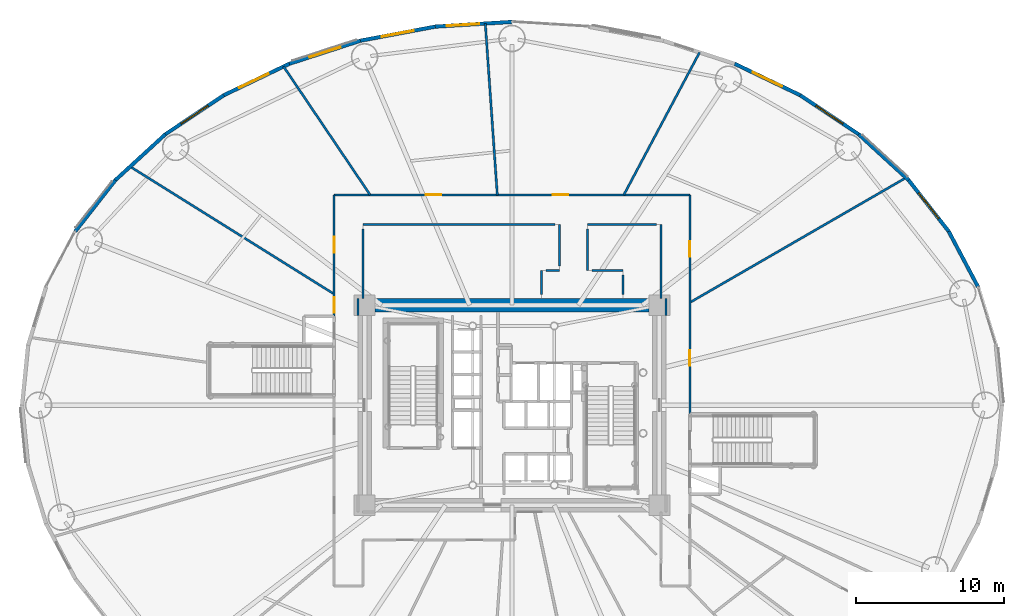
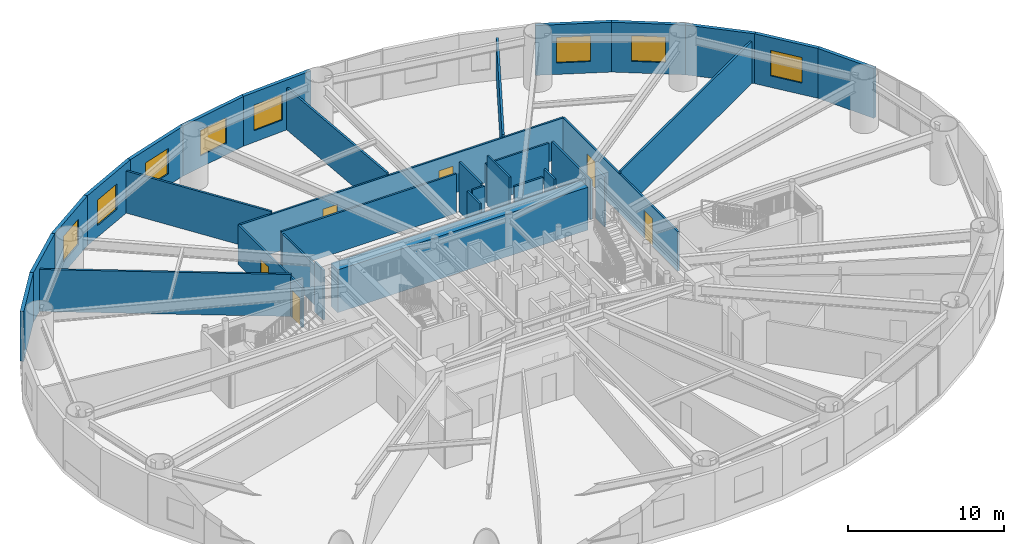
# One storey, part 16 of 27: 33 walls, 8 windows, 6 doors, 14 openings.
"""IFC4 building model written with IfcOpenShell, lengths in metres."""

from ifc_helpers import new_model, si_unit, direction, frame, frame_2d, origin, origin_2d, place, context, subcontext, project, spatial, rectangle, extrude, source, transform, mapped, material, layer, layer_set, type_object, element, fill, save


model = new_model("IFC4")

# Units and contexts
model_context = context("Model", 3, precision=1e-05, world=origin(), true_north=direction((0.0, 1.0)))
body_context = subcontext(model_context, "Body", "Model", "MODEL_VIEW")
ifc_project = project(units=[si_unit("LENGTHUNIT", "METRE"), si_unit("AREAUNIT", "SQUARE_METRE"), si_unit("VOLUMEUNIT", "CUBIC_METRE"), si_unit("PLANEANGLEUNIT", "RADIAN"), si_unit("MASSUNIT", "GRAM", prefix="KILO")], contexts=[model_context])

# Site, building, storey
site_placement = place(None, origin())
site = spatial("IfcSite", under=ifc_project, at=site_placement, CompositionType="ELEMENT")
building_placement = place(site_placement, origin())
building = spatial("IfcBuilding", under=site, at=building_placement, Name="Linh Dai School and Residence Tower", CompositionType="ELEMENT")
storey_placement = place(building_placement, frame((0.0, 0.0, 18.60009765625)))
storey = spatial("IfcBuildingStorey", under=building, at=storey_placement, Name="L04", CompositionType="ELEMENT", Elevation=18.60009765625)

# Wall
ifc_material_1 = material(Name="Precast Concrete B45 (C35/45)", Category="concrete")
ifc_layer_1 = layer(ifc_material_1, 0.25)
ifc_layer_set_1 = layer_set([ifc_layer_1], Name="Precast Concrete B45 (C35/45)")
wall_type_1 = type_object("IfcWallType", Name="EW-TC-250", PredefinedType="SOLIDWALL", material=ifc_layer_set_1)
wall_1_placement = place(storey_placement, frame((65.4765625, 38.735595703125, 0.0), z_axis=(0.0, 0.0, 1.0), x_axis=(0.467588829866, -0.883946087827, 0.0)))
element("IfcWall", 1, at=wall_1_placement, inside=storey, type_object=wall_type_1, Name="L04 Terracotta Exterior Wall 03", PredefinedType="SOLIDWALL", context=body_context, shape_type="SweptSolid", body=[
    extrude(rectangle(XDim=4.2412109375, YDim=0.25, at=frame_2d((2.12060546875, 0.0))), origin(), (0.0, 0.0, 1.0), 3.89990234375),
])

# Wall, opening, window
wall_2_placement = place(storey_placement, frame((62.767822265625, 42.197509765625, 0.0), z_axis=(0.0, 0.0, 1.0), x_axis=(0.61622589112, -0.787569457961, 0.0)))
wall_2 = element("IfcWall", 2, at=wall_2_placement, inside=storey, type_object=wall_type_1, Name="L04 Terracotta Exterior Wall 04", PredefinedType="SOLIDWALL", context=body_context, shape_type="SweptSolid", body=[
    extrude(rectangle(XDim=4.395751953125, YDim=0.25, at=frame_2d((2.19775390625, 0.0))), origin(), (0.0, 0.0, 1.0), 3.89990234375),
])
opening_1_placement = place(wall_2_placement, frame((1.09765625, 0.0, 0.89990234375)))
opening_1 = element("IfcOpeningElement", 3, at=opening_1_placement, cuts=wall_2, Name="Opening W4", PredefinedType="OPENING", context=body_context, shape_type="SweptSolid", body=[
    extrude(rectangle(XDim=2.199951171875, YDim=2.0, at=origin_2d()), frame((1.10009765625, 0.135009765625, 1.0), z_axis=(0.0, -1.0, 0.0), x_axis=(1.0, 0.0, 0.0)), (0.0, 0.0, 1.0), 0.27001953125),
])
ifc_material_2 = material(Name="Acoustic Laminated Low-E Glazing", Category="glass")
window_type = type_object("IfcWindowType", Name="WN-SCH-2200x2000", PartitioningType="TRIPLE_PANEL_VERTICAL", PredefinedType="WINDOW", material=ifc_material_2)
shared_shape_1 = source(origin(), body_context, "Body", "SweptSolid", [
    extrude(rectangle(XDim=2.199951171875, YDim=2.0, at=origin_2d()), frame((1.10009765625, 0.030029296875, 1.0), z_axis=(0.0, -1.0, 0.0), x_axis=(1.0, 0.0, 0.0)), (0.0, 0.0, 1.0), 0.06005859375),
])
window_1_placement = place(opening_1_placement, origin())
window_1 = element("IfcWindow", 4, at=window_1_placement, inside=storey, type_object=window_type, Name="L04 Exterior Window 04.1", OverallHeight=2.0, OverallWidth=2.199951171875, PartitioningType="TRIPLE_PANEL_VERTICAL", PredefinedType="WINDOW", context=body_context, shape_type="MappedRepresentation", body=[
    mapped(shared_shape_1, transform((0.0, 0.0, 0.0), x_axis=(1.0, 0.0, 0.0), y_axis=(0.0, 1.0, 0.0), z_axis=(0.0, 0.0, 1.0), scale=1.0)),
])
fill(opening_1, window_1)

# Wall
wall_3_placement = place(storey_placement, frame((59.39892578125, 45.286376953125, 0.0), z_axis=(0.0, 0.0, 1.0), x_axis=(0.737076532105, -0.675809282136, 0.0)))
element("IfcWall", 5, at=wall_3_placement, inside=storey, type_object=wall_type_1, Name="L04 Terracotta Exterior Wall 05", PredefinedType="SOLIDWALL", context=body_context, shape_type="SweptSolid", body=[
    extrude(rectangle(XDim=4.570556640625, YDim=0.25, at=frame_2d((2.28515625, 0.0))), origin(), (0.0, 0.0, 1.0), 3.89990234375),
])

# Wall, opening, window
wall_4_placement = place(storey_placement, frame((55.45263671875, 47.92578125, 0.0), z_axis=(0.0, 0.0, 1.0), x_axis=(0.831218664812, -0.555945618985, 0.0)))
wall_4 = element("IfcWall", 6, at=wall_4_placement, inside=storey, type_object=wall_type_1, Name="L04 Terracotta Exterior Wall 06", PredefinedType="SOLIDWALL", context=body_context, shape_type="SweptSolid", body=[
    extrude(rectangle(XDim=4.74755859375, YDim=0.25, at=frame_2d((2.373779296875, 0.0))), origin(), (0.0, 0.0, 1.0), 3.89990234375),
])
opening_2_placement = place(wall_4_placement, frame((1.273681640625, 0.0, 0.89990234375)))
opening_2 = element("IfcOpeningElement", 7, at=opening_2_placement, cuts=wall_4, Name="Opening W4", PredefinedType="OPENING", context=body_context, shape_type="SweptSolid", body=[
    extrude(rectangle(XDim=2.199951171875, YDim=2.0, at=origin_2d()), frame((1.10009765625, 0.135009765625, 1.0), z_axis=(0.0, -1.0, 0.0), x_axis=(1.0, 0.0, 0.0)), (0.0, 0.0, 1.0), 0.27001953125),
])
window_2_placement = place(opening_2_placement, origin())
window_2 = element("IfcWindow", 8, at=window_2_placement, inside=storey, type_object=window_type, Name="L04 Exterior Window 06.1", OverallHeight=2.0, OverallWidth=2.199951171875, PartitioningType="TRIPLE_PANEL_VERTICAL", PredefinedType="WINDOW", context=body_context, shape_type="MappedRepresentation", body=[
    mapped(shared_shape_1, transform((0.0, 0.0, 0.0), x_axis=(1.0, 0.0, 0.0), y_axis=(0.0, 1.0, 0.0), z_axis=(0.0, 0.0, 1.0), scale=1.0)),
])
fill(opening_2, window_2)

wall_5_placement = place(storey_placement, frame((51.026123046875, 50.050048828125, 0.0), z_axis=(0.0, 0.0, 1.0), x_axis=(0.901559523397, -0.432655088692, 0.0)))
wall_5 = element("IfcWall", 9, at=wall_5_placement, inside=storey, type_object=wall_type_1, Name="L04 Terracotta Exterior Wall 07", PredefinedType="SOLIDWALL", context=body_context, shape_type="SweptSolid", body=[
    extrude(rectangle(XDim=4.909912109375, YDim=0.25, at=frame_2d((2.455078125, 0.0))), origin(), (0.0, 0.0, 1.0), 3.89990234375),
])
opening_3_placement = place(wall_5_placement, frame((1.354736328125, 0.0, 0.89990234375)))
opening_3 = element("IfcOpeningElement", 10, at=opening_3_placement, cuts=wall_5, Name="Opening W4", PredefinedType="OPENING", context=body_context, shape_type="SweptSolid", body=[
    extrude(rectangle(XDim=2.199951171875, YDim=2.0, at=origin_2d()), frame((1.10009765625, 0.135009765625, 1.0), z_axis=(0.0, -1.0, 0.0), x_axis=(1.0, 0.0, 0.0)), (0.0, 0.0, 1.0), 0.27001953125),
])
window_3_placement = place(opening_3_placement, origin())
window_3 = element("IfcWindow", 11, at=window_3_placement, inside=storey, type_object=window_type, Name="L04 Exterior Window 07.1", OverallHeight=2.0, OverallWidth=2.199951171875, PartitioningType="TRIPLE_PANEL_VERTICAL", PredefinedType="WINDOW", context=body_context, shape_type="MappedRepresentation", body=[
    mapped(shared_shape_1, transform((0.0, 0.0, 0.0), x_axis=(1.0, 0.0, 0.0), y_axis=(0.0, 1.0, 0.0), z_axis=(0.0, 0.0, 1.0), scale=1.0)),
])
fill(opening_3, window_3)

wall_6_placement = place(storey_placement, frame((30.82177734375, 52.555908203125, 0.0), z_axis=(0.0, 0.0, 1.0), x_axis=(0.998106762298, 0.061505211614, 0.0)))
wall_6 = element("IfcWall", 12, at=wall_6_placement, inside=storey, type_object=wall_type_1, Name="L04 Terracotta Exterior Wall 11", PredefinedType="SOLIDWALL", context=body_context, shape_type="SweptSolid", body=[
    extrude(rectangle(XDim=5.18798828125, YDim=0.25, at=frame_2d((2.593994140625, 0.0))), origin(), (0.0, 0.0, 1.0), 3.89990234375),
])
opening_4_placement = place(wall_6_placement, frame((0.785888671875, 0.0, 0.89990234375)))
opening_4 = element("IfcOpeningElement", 13, at=opening_4_placement, cuts=wall_6, Name="Opening W4", PredefinedType="OPENING", context=body_context, shape_type="SweptSolid", body=[
    extrude(rectangle(XDim=2.199951171875, YDim=2.0, at=origin_2d()), frame((1.10009765625, 0.135009765625, 1.0), z_axis=(0.0, -1.0, 0.0), x_axis=(1.0, 0.0, 0.0)), (0.0, 0.0, 1.0), 0.27001953125),
])
window_4_placement = place(opening_4_placement, origin())
window_4 = element("IfcWindow", 14, at=window_4_placement, inside=storey, type_object=window_type, Name="L04 Exterior Window 11.1", OverallHeight=2.0, OverallWidth=2.199951171875, PartitioningType="TRIPLE_PANEL_VERTICAL", PredefinedType="WINDOW", context=body_context, shape_type="MappedRepresentation", body=[
    mapped(shared_shape_1, transform((0.0, 0.0, 0.0), x_axis=(1.0, 0.0, 0.0), y_axis=(0.0, 1.0, 0.0), z_axis=(0.0, 0.0, 1.0), scale=1.0)),
])
fill(opening_4, window_4)

wall_7_placement = place(storey_placement, frame((25.771484375, 51.6064453125, 0.0), z_axis=(0.0, 0.0, 1.0), x_axis=(0.98278278947, 0.184764684726, 0.0)))
wall_7 = element("IfcWall", 15, at=wall_7_placement, inside=storey, type_object=wall_type_1, Name="L04 Terracotta Exterior Wall 12", PredefinedType="SOLIDWALL", context=body_context, shape_type="SweptSolid", body=[
    extrude(rectangle(XDim=5.138671875, YDim=0.25, at=frame_2d((2.5693359375, 0.0))), origin(), (0.0, 0.0, 1.0), 3.89990234375),
])
opening_5_placement = place(wall_7_placement, frame((1.469482421875, 0.0, 0.89990234375)))
opening_5 = element("IfcOpeningElement", 16, at=opening_5_placement, cuts=wall_7, Name="Opening W4", PredefinedType="OPENING", context=body_context, shape_type="SweptSolid", body=[
    extrude(rectangle(XDim=2.199951171875, YDim=2.0, at=origin_2d()), frame((1.10009765625, 0.135009765625, 1.0), z_axis=(0.0, -1.0, 0.0), x_axis=(1.0, 0.0, 0.0)), (0.0, 0.0, 1.0), 0.27001953125),
])
window_5_placement = place(opening_5_placement, origin())
window_5 = element("IfcWindow", 17, at=window_5_placement, inside=storey, type_object=window_type, Name="L04 Exterior Window 12.1", OverallHeight=2.0, OverallWidth=2.199951171875, PartitioningType="TRIPLE_PANEL_VERTICAL", PredefinedType="WINDOW", context=body_context, shape_type="MappedRepresentation", body=[
    mapped(shared_shape_1, transform((0.0, 0.0, 0.0), x_axis=(1.0, 0.0, 0.0), y_axis=(0.0, 1.0, 0.0), z_axis=(0.0, 0.0, 1.0), scale=1.0)),
])
fill(opening_5, window_5)

wall_8_placement = place(storey_placement, frame((20.973876953125, 50.050048828125, 0.0), z_axis=(0.0, 0.0, 1.0), x_axis=(0.951198629726, 0.308579271513, 0.0)))
wall_8 = element("IfcWall", 18, at=wall_8_placement, inside=storey, type_object=wall_type_1, Name="L04 Terracotta Exterior Wall 13", PredefinedType="SOLIDWALL", context=body_context, shape_type="SweptSolid", body=[
    extrude(rectangle(XDim=5.043701171875, YDim=0.25, at=frame_2d((2.52197265625, 0.0))), origin(), (0.0, 0.0, 1.0), 3.89990234375),
])
opening_6_placement = place(wall_8_placement, frame((1.422119140625, 0.0, 0.89990234375)))
opening_6 = element("IfcOpeningElement", 19, at=opening_6_placement, cuts=wall_8, Name="Opening W4", PredefinedType="OPENING", context=body_context, shape_type="SweptSolid", body=[
    extrude(rectangle(XDim=2.199951171875, YDim=2.0, at=origin_2d()), frame((1.10009765625, 0.135009765625, 1.0), z_axis=(0.0, -1.0, 0.0), x_axis=(1.0, 0.0, 0.0)), (0.0, 0.0, 1.0), 0.27001953125),
])
window_6_placement = place(opening_6_placement, origin())
window_6 = element("IfcWindow", 20, at=window_6_placement, inside=storey, type_object=window_type, Name="L04 Exterior Window 13.1", OverallHeight=2.0, OverallWidth=2.199951171875, PartitioningType="TRIPLE_PANEL_VERTICAL", PredefinedType="WINDOW", context=body_context, shape_type="MappedRepresentation", body=[
    mapped(shared_shape_1, transform((0.0, 0.0, 0.0), x_axis=(1.0, 0.0, 0.0), y_axis=(0.0, 1.0, 0.0), z_axis=(0.0, 0.0, 1.0), scale=1.0)),
])
fill(opening_6, window_6)

wall_9_placement = place(storey_placement, frame((16.54736328125, 47.92578125, 0.0), z_axis=(0.0, 0.0, 1.0), x_axis=(0.901559523397, 0.432655088692, 0.0)))
wall_9 = element("IfcWall", 21, at=wall_9_placement, inside=storey, type_object=wall_type_1, Name="L04 Terracotta Exterior Wall 14", PredefinedType="SOLIDWALL", context=body_context, shape_type="SweptSolid", body=[
    extrude(rectangle(XDim=4.909912109375, YDim=0.25, at=frame_2d((2.455078125, 0.0))), origin(), (0.0, 0.0, 1.0), 3.89990234375),
])
opening_7_placement = place(wall_9_placement, frame((1.150146484375, 0.0, 0.89990234375)))
opening_7 = element("IfcOpeningElement", 22, at=opening_7_placement, cuts=wall_9, Name="Opening W4", PredefinedType="OPENING", context=body_context, shape_type="SweptSolid", body=[
    extrude(rectangle(XDim=2.199951171875, YDim=2.0, at=origin_2d()), frame((1.10009765625, 0.135009765625, 1.0), z_axis=(0.0, -1.0, 0.0), x_axis=(1.0, 0.0, 0.0)), (0.0, 0.0, 1.0), 0.27001953125),
])
window_7_placement = place(opening_7_placement, origin())
window_7 = element("IfcWindow", 23, at=window_7_placement, inside=storey, type_object=window_type, Name="L04 Exterior Window 14.1", OverallHeight=2.0, OverallWidth=2.199951171875, PartitioningType="TRIPLE_PANEL_VERTICAL", PredefinedType="WINDOW", context=body_context, shape_type="MappedRepresentation", body=[
    mapped(shared_shape_1, transform((0.0, 0.0, 0.0), x_axis=(1.0, 0.0, 0.0), y_axis=(0.0, 1.0, 0.0), z_axis=(0.0, 0.0, 1.0), scale=1.0)),
])
fill(opening_7, window_7)

wall_10_placement = place(storey_placement, frame((12.60107421875, 45.286376953125, 0.0), z_axis=(0.0, 0.0, 1.0), x_axis=(0.831218664812, 0.555945618985, 0.0)))
wall_10 = element("IfcWall", 24, at=wall_10_placement, inside=storey, type_object=wall_type_1, Name="L04 Terracotta Exterior Wall 15", PredefinedType="SOLIDWALL", context=body_context, shape_type="SweptSolid", body=[
    extrude(rectangle(XDim=4.74755859375, YDim=0.25, at=frame_2d((2.373779296875, 0.0))), origin(), (0.0, 0.0, 1.0), 3.89990234375),
])
opening_8_placement = place(wall_10_placement, frame((1.27392578125, 0.0, 0.89990234375)))
opening_8 = element("IfcOpeningElement", 25, at=opening_8_placement, cuts=wall_10, Name="Opening W4", PredefinedType="OPENING", context=body_context, shape_type="SweptSolid", body=[
    extrude(rectangle(XDim=2.199951171875, YDim=2.0, at=origin_2d()), frame((1.10009765625, 0.135009765625, 1.0), z_axis=(0.0, -1.0, 0.0), x_axis=(1.0, 0.0, 0.0)), (0.0, 0.0, 1.0), 0.27001953125),
])
window_8_placement = place(opening_8_placement, origin())
window_8 = element("IfcWindow", 26, at=window_8_placement, inside=storey, type_object=window_type, Name="L04 Exterior Window 15.1", OverallHeight=2.0, OverallWidth=2.199951171875, PartitioningType="TRIPLE_PANEL_VERTICAL", PredefinedType="WINDOW", context=body_context, shape_type="MappedRepresentation", body=[
    mapped(shared_shape_1, transform((0.0, 0.0, 0.0), x_axis=(1.0, 0.0, 0.0), y_axis=(0.0, 1.0, 0.0), z_axis=(0.0, 0.0, 1.0), scale=1.0)),
])
fill(opening_8, window_8)

# Walls
wall_11_placement = place(storey_placement, frame((9.232177734375, 42.197509765625, 0.0), z_axis=(0.0, 0.0, 1.0), x_axis=(0.737076532105, 0.675809282136, 0.0)))
element("IfcWall", 27, at=wall_11_placement, inside=storey, type_object=wall_type_1, Name="L04 Terracotta Exterior Wall 16", PredefinedType="SOLIDWALL", context=body_context, shape_type="SweptSolid", body=[
    extrude(rectangle(XDim=4.570556640625, YDim=0.25, at=frame_2d((2.28515625, 0.0))), origin(), (0.0, 0.0, 1.0), 3.89990234375),
])
wall_12_placement = place(storey_placement, frame((6.5234375, 38.735595703125, 0.0), z_axis=(0.0, 0.0, 1.0), x_axis=(0.61622589112, 0.787569457961, 0.0)))
element("IfcWall", 28, at=wall_12_placement, inside=storey, type_object=wall_type_1, Name="L04 Terracotta Exterior Wall 17", PredefinedType="SOLIDWALL", context=body_context, shape_type="SweptSolid", body=[
    extrude(rectangle(XDim=4.395751953125, YDim=0.25, at=frame_2d((2.19775390625, 0.0))), origin(), (0.0, 0.0, 1.0), 3.89990234375),
])

# Wall, openings, doors
ifc_material_3 = material(Name="Autoclaved Aerated Concrete Blockwork", Category="masonry")
ifc_layer_2 = layer(ifc_material_3, 0.135009765625)
ifc_layer_set_2 = layer_set([ifc_layer_2], Name="Autoclaved Aerated Concrete Blockwork")
wall_type_2 = type_object("IfcWallType", Name="IW-CORR-135-EI90", PredefinedType="PARTITIONING", material=ifc_layer_set_2)
wall_13_placement = place(storey_placement, frame((24.0, 33.010009765625, 0.0), z_axis=(0.0, 0.0, 1.0), x_axis=(0.0, 1.0, 0.0)))
wall_13 = element("IfcWall", 29, at=wall_13_placement, inside=storey, type_object=wall_type_2, Name="L04 Interior Partition Wall 014", PredefinedType="PARTITIONING", context=body_context, shape_type="SweptSolid", body=[
    extrude(rectangle(XDim=8.18994140625, YDim=0.135009765625, at=frame_2d((4.094970703125, 0.0))), origin(), (0.0, 0.0, 1.0), 3.0849609375),
])
opening_9_placement = place(wall_13_placement, frame((4.294189453125, 0.0, 0.0)))
opening_9 = element("IfcOpeningElement", 30, at=opening_9_placement, cuts=wall_13, Name="Opening D04", PredefinedType="OPENING", context=body_context, shape_type="SweptSolid", body=[
    extrude(rectangle(XDim=1.050048828125, YDim=2.14990234375, at=origin_2d()), frame((0.52490234375, 0.07763671875, 1.074951171875), z_axis=(0.0, -1.0, 0.0), x_axis=(1.0, 0.0, 0.0)), (0.0, 0.0, 1.0), 0.155029296875),
])
opening_10_placement = place(wall_13_placement, frame((0.2392578125, 0.0, 0.0)))
opening_10 = element("IfcOpeningElement", 31, at=opening_10_placement, cuts=wall_13, Name="Opening D04", PredefinedType="OPENING", context=body_context, shape_type="SweptSolid", body=[
    extrude(rectangle(XDim=1.050048828125, YDim=2.14990234375, at=origin_2d()), frame((0.52490234375, 0.07763671875, 1.074951171875), z_axis=(0.0, -1.0, 0.0), x_axis=(1.0, 0.0, 0.0)), (0.0, 0.0, 1.0), 0.155029296875),
])
ifc_material_4 = material(Name="Acoustic Vision-Panel Timber Classroom Door", Category="wood")
door_type = type_object("IfcDoorType", Name="DR-SCH-1050x2150-FD60S", OperationType="NOTDEFINED", PredefinedType="DOOR", material=ifc_material_4)
shared_shape_2 = source(origin(), body_context, "Body", "SweptSolid", [
    extrude(rectangle(XDim=1.050048828125, YDim=2.14990234375, at=origin_2d()), frame((0.52490234375, 0.02490234375, 1.074951171875), z_axis=(0.0, -1.0, 0.0), x_axis=(1.0, 0.0, 0.0)), (0.0, 0.0, 1.0), 0.050048828125),
])
door_1_placement = place(opening_9_placement, origin())
door_1 = element("IfcDoor", 32, at=door_1_placement, inside=storey, type_object=door_type, Name="L04 Middle School Classroom 1 Door", OperationType="SINGLE_SWING_LEFT", OverallHeight=2.14990234375, OverallWidth=1.050048828125, PredefinedType="DOOR", context=body_context, shape_type="MappedRepresentation", body=[
    mapped(shared_shape_2, transform((0.0, 0.0, 0.0), x_axis=(1.0, 0.0, 0.0), y_axis=(0.0, 1.0, 0.0), z_axis=(0.0, 0.0, 1.0), scale=1.0)),
])
fill(opening_9, door_1)
door_2_placement = place(opening_10_placement, origin())
door_2 = element("IfcDoor", 33, at=door_2_placement, inside=storey, type_object=door_type, Name="L04 Middle School Classroom 2 Door", OperationType="SINGLE_SWING_RIGHT", OverallHeight=2.14990234375, OverallWidth=1.050048828125, PredefinedType="DOOR", context=body_context, shape_type="MappedRepresentation", body=[
    mapped(shared_shape_2, transform((0.0, 0.0, 0.0), x_axis=(1.0, 0.0, 0.0), y_axis=(0.0, 1.0, 0.0), z_axis=(0.0, 0.0, 1.0), scale=1.0)),
])
fill(opening_10, door_2)

wall_14_placement = place(storey_placement, frame((24.0, 41.199951171875, 0.0), z_axis=(0.0, 0.0, 1.0), x_axis=(1.0, 0.0, 0.0)))
wall_14 = element("IfcWall", 34, at=wall_14_placement, inside=storey, type_object=wall_type_2, Name="L04 Interior Partition Wall 015", PredefinedType="PARTITIONING", context=body_context, shape_type="SweptSolid", body=[
    extrude(rectangle(XDim=24.0, YDim=0.135009765625, at=frame_2d((12.0, 0.0))), origin(), (0.0, 0.0, 1.0), 3.0849609375),
])
opening_11_placement = place(wall_14_placement, frame((14.753662109375, 0.0, 0.0)))
opening_11 = element("IfcOpeningElement", 35, at=opening_11_placement, cuts=wall_14, Name="Opening D04", PredefinedType="OPENING", context=body_context, shape_type="SweptSolid", body=[
    extrude(rectangle(XDim=1.050048828125, YDim=2.14990234375, at=origin_2d()), frame((0.52490234375, 0.07763671875, 1.074951171875), z_axis=(0.0, -1.0, 0.0), x_axis=(1.0, 0.0, 0.0)), (0.0, 0.0, 1.0), 0.155029296875),
])
opening_12_placement = place(wall_14_placement, frame((6.189453125, 0.0, 0.0)))
opening_12 = element("IfcOpeningElement", 36, at=opening_12_placement, cuts=wall_14, Name="Opening D04", PredefinedType="OPENING", context=body_context, shape_type="SweptSolid", body=[
    extrude(rectangle(XDim=1.050048828125, YDim=2.14990234375, at=origin_2d()), frame((0.52490234375, 0.07763671875, 1.074951171875), z_axis=(0.0, -1.0, 0.0), x_axis=(1.0, 0.0, 0.0)), (0.0, 0.0, 1.0), 0.155029296875),
])
door_3_placement = place(opening_11_placement, origin())
door_3 = element("IfcDoor", 37, at=door_3_placement, inside=storey, type_object=door_type, Name="L04 Biology and Ecology Laboratory Door", OperationType="SINGLE_SWING_LEFT", OverallHeight=2.14990234375, OverallWidth=1.050048828125, PredefinedType="DOOR", context=body_context, shape_type="MappedRepresentation", body=[
    mapped(shared_shape_2, transform((0.0, 0.0, 0.0), x_axis=(1.0, 0.0, 0.0), y_axis=(0.0, 1.0, 0.0), z_axis=(0.0, 0.0, 1.0), scale=1.0)),
])
fill(opening_11, door_3)
door_4_placement = place(opening_12_placement, origin())
door_4 = element("IfcDoor", 38, at=door_4_placement, inside=storey, type_object=door_type, Name="L04 Robotics and STEM Maker Lab Door", OperationType="SINGLE_SWING_RIGHT", OverallHeight=2.14990234375, OverallWidth=1.050048828125, PredefinedType="DOOR", context=body_context, shape_type="MappedRepresentation", body=[
    mapped(shared_shape_2, transform((0.0, 0.0, 0.0), x_axis=(1.0, 0.0, 0.0), y_axis=(0.0, 1.0, 0.0), z_axis=(0.0, 0.0, 1.0), scale=1.0)),
])
fill(opening_12, door_4)

wall_15_placement = place(storey_placement, frame((48.0, 26.429931640625, 0.0), z_axis=(0.0, 0.0, 1.0), x_axis=(0.0, 1.0, 0.0)))
wall_15 = element("IfcWall", 39, at=wall_15_placement, inside=storey, type_object=wall_type_2, Name="L04 Interior Partition Wall 068", PredefinedType="PARTITIONING", context=body_context, shape_type="SweptSolid", body=[
    extrude(rectangle(XDim=14.77001953125, YDim=0.135009765625, at=frame_2d((7.385009765625, 0.0))), origin(), (0.0, 0.0, 1.0), 3.0849609375),
])
opening_13_placement = place(wall_15_placement, frame((3.244140625, 0.0, 0.0)))
opening_13 = element("IfcOpeningElement", 40, at=opening_13_placement, cuts=wall_15, Name="Opening D04", PredefinedType="OPENING", context=body_context, shape_type="SweptSolid", body=[
    extrude(rectangle(XDim=1.050048828125, YDim=2.14990234375, at=origin_2d()), frame((0.52490234375, 0.07763671875, 1.074951171875), z_axis=(0.0, -1.0, 0.0), x_axis=(1.0, 0.0, 0.0)), (0.0, 0.0, 1.0), 0.155029296875),
])
opening_14_placement = place(wall_15_placement, frame((10.589111328125, 0.0, 0.0)))
opening_14 = element("IfcOpeningElement", 41, at=opening_14_placement, cuts=wall_15, Name="Opening D04", PredefinedType="OPENING", context=body_context, shape_type="SweptSolid", body=[
    extrude(rectangle(XDim=1.050048828125, YDim=2.14990234375, at=origin_2d()), frame((0.52490234375, 0.07763671875, 1.074951171875), z_axis=(0.0, -1.0, 0.0), x_axis=(1.0, 0.0, 0.0)), (0.0, 0.0, 1.0), 0.155029296875),
])
door_5_placement = place(opening_13_placement, origin())
door_5 = element("IfcDoor", 42, at=door_5_placement, inside=storey, type_object=door_type, Name="L04 School Learning Commons and Library Door", OperationType="SINGLE_SWING_LEFT", OverallHeight=2.14990234375, OverallWidth=1.050048828125, PredefinedType="DOOR", context=body_context, shape_type="MappedRepresentation", body=[
    mapped(shared_shape_2, transform((0.0, 0.0, 0.0), x_axis=(1.0, 0.0, 0.0), y_axis=(0.0, 1.0, 0.0), z_axis=(0.0, 0.0, 1.0), scale=1.0)),
])
fill(opening_13, door_5)
door_6_placement = place(opening_14_placement, origin())
door_6 = element("IfcDoor", 43, at=door_6_placement, inside=storey, type_object=door_type, Name="L04 General Science Laboratory 1 Door", OperationType="SINGLE_SWING_RIGHT", OverallHeight=2.14990234375, OverallWidth=1.050048828125, PredefinedType="DOOR", context=body_context, shape_type="MappedRepresentation", body=[
    mapped(shared_shape_2, transform((0.0, 0.0, 0.0), x_axis=(1.0, 0.0, 0.0), y_axis=(0.0, 1.0, 0.0), z_axis=(0.0, 0.0, 1.0), scale=1.0)),
])
fill(opening_14, door_6)

# Walls
wall_16_placement = place(storey_placement, frame((46.39990234375, 33.06005859375, 0.0), z_axis=(0.0, 0.0, 1.0), x_axis=(0.0, 1.0, 0.0)))
element("IfcWall", 44, at=wall_16_placement, inside=storey, type_object=wall_type_2, Name="L04 Interior Partition Wall 088", PredefinedType="PARTITIONING", context=body_context, shape_type="SweptSolid", body=[
    extrude(rectangle(XDim=1.139892578125, YDim=0.135009765625, at=frame_2d((0.56982421875, 0.0))), origin(), (0.0, 0.0, 1.0), 3.89990234375),
])
wall_17_placement = place(storey_placement, frame((46.050048828125, 34.199951171875, 0.0), z_axis=(0.0, 0.0, 1.0), x_axis=(0.0, 1.0, 0.0)))
element("IfcWall", 45, at=wall_17_placement, inside=storey, type_object=wall_type_2, Name="L04 Interior Partition Wall 089", PredefinedType="PARTITIONING", context=body_context, shape_type="SweptSolid", body=[
    extrude(rectangle(XDim=5.0, YDim=0.135009765625, at=frame_2d((2.5, 0.0))), origin(), (0.0, 0.0, 1.0), 3.0849609375),
])
wall_18_placement = place(storey_placement, frame((45.742431640625, 39.199951171875, 0.0), z_axis=(0.0, 0.0, 1.0), x_axis=(-1.0, 0.0, 0.0)))
element("IfcWall", 46, at=wall_18_placement, inside=storey, type_object=wall_type_2, Name="L04 Interior Partition Wall 090", PredefinedType="PARTITIONING", context=body_context, shape_type="SweptSolid", body=[
    extrude(rectangle(XDim=4.642333984375, YDim=0.135009765625, at=frame_2d((2.3212890625, 0.0))), origin(), (0.0, 0.0, 1.0), 3.0849609375),
])
wall_19_placement = place(storey_placement, frame((41.10009765625, 38.892578125, 0.0), z_axis=(0.0, 0.0, 1.0), x_axis=(0.0, -1.0, 0.0)))
element("IfcWall", 47, at=wall_19_placement, inside=storey, type_object=wall_type_2, Name="L04 Interior Partition Wall 091", PredefinedType="PARTITIONING", context=body_context, shape_type="SweptSolid", body=[
    extrude(rectangle(XDim=2.79248046875, YDim=0.135009765625, at=frame_2d((1.396240234375, 0.0))), origin(), (0.0, 0.0, 1.0), 3.89990234375),
])
wall_20_placement = place(storey_placement, frame((41.407470703125, 36.10009765625, 0.0), z_axis=(0.0, 0.0, 1.0), x_axis=(1.0, 0.0, 0.0)))
element("IfcWall", 48, at=wall_20_placement, inside=storey, type_object=wall_type_2, Name="L04 Interior Partition Wall 092", PredefinedType="PARTITIONING", context=body_context, shape_type="SweptSolid", body=[
    extrude(rectangle(XDim=2.092529296875, YDim=0.135009765625, at=frame_2d((1.04638671875, 0.0))), origin(), (0.0, 0.0, 1.0), 3.0849609375),
])
wall_21_placement = place(storey_placement, frame((43.5, 35.79248046875, 0.0), z_axis=(0.0, 0.0, 1.0), x_axis=(0.0, -1.0, 0.0)))
element("IfcWall", 49, at=wall_21_placement, inside=storey, type_object=wall_type_2, Name="L04 Interior Partition Wall 093", PredefinedType="PARTITIONING", context=body_context, shape_type="SweptSolid", body=[
    extrude(rectangle(XDim=1.33251953125, YDim=0.135009765625, at=frame_2d((0.666259765625, 0.0))), origin(), (0.0, 0.0, 1.0), 3.89990234375),
])
wall_22_placement = place(storey_placement, frame((38.0, 34.4599609375, 0.0), z_axis=(0.0, 0.0, 1.0), x_axis=(0.0, 1.0, 0.0)))
element("IfcWall", 50, at=wall_22_placement, inside=storey, type_object=wall_type_2, Name="L04 Interior Partition Wall 094", PredefinedType="PARTITIONING", context=body_context, shape_type="SweptSolid", body=[
    extrude(rectangle(XDim=1.64013671875, YDim=0.135009765625, at=frame_2d((0.820068359375, 0.0))), origin(), (0.0, 0.0, 1.0), 3.89990234375),
])
wall_23_placement = place(storey_placement, frame((38.3076171875, 36.10009765625, 0.0), z_axis=(0.0, 0.0, 1.0), x_axis=(1.0, 0.0, 0.0)))
element("IfcWall", 51, at=wall_23_placement, inside=storey, type_object=wall_type_2, Name="L04 Interior Partition Wall 095", PredefinedType="PARTITIONING", context=body_context, shape_type="SweptSolid", body=[
    extrude(rectangle(XDim=0.892333984375, YDim=0.135009765625, at=frame_2d((0.4462890625, 0.0))), origin(), (0.0, 0.0, 1.0), 3.89990234375),
])
wall_24_placement = place(storey_placement, frame((39.199951171875, 36.407470703125, 0.0), z_axis=(0.0, 0.0, 1.0), x_axis=(0.0, 1.0, 0.0)))
element("IfcWall", 52, at=wall_24_placement, inside=storey, type_object=wall_type_2, Name="L04 Interior Partition Wall 096", PredefinedType="PARTITIONING", context=body_context, shape_type="SweptSolid", body=[
    extrude(rectangle(XDim=2.79248046875, YDim=0.135009765625, at=frame_2d((1.396240234375, 0.0))), origin(), (0.0, 0.0, 1.0), 3.89990234375),
])
wall_25_placement = place(storey_placement, frame((38.892578125, 39.199951171875, 0.0), z_axis=(0.0, 0.0, 1.0), x_axis=(-1.0, 0.0, 0.0)))
element("IfcWall", 53, at=wall_25_placement, inside=storey, type_object=wall_type_2, Name="L04 Interior Partition Wall 097", PredefinedType="PARTITIONING", context=body_context, shape_type="SweptSolid", body=[
    extrude(rectangle(XDim=12.942626953125, YDim=0.135009765625, at=frame_2d((6.47119140625, 0.0))), origin(), (0.0, 0.0, 1.0), 3.0849609375),
])
wall_26_placement = place(storey_placement, frame((25.949951171875, 38.892578125, 0.0), z_axis=(0.0, 0.0, 1.0), x_axis=(0.0, -1.0, 0.0)))
element("IfcWall", 54, at=wall_26_placement, inside=storey, type_object=wall_type_2, Name="L04 Interior Partition Wall 098", PredefinedType="PARTITIONING", context=body_context, shape_type="SweptSolid", body=[
    extrude(rectangle(XDim=4.692626953125, YDim=0.135009765625, at=frame_2d((2.34619140625, 0.0))), origin(), (0.0, 0.0, 1.0), 3.0849609375),
])
wall_27_placement = place(storey_placement, frame((25.60009765625, 34.199951171875, 0.0), z_axis=(0.0, 0.0, 1.0), x_axis=(0.0, -1.0, 0.0)))
element("IfcWall", 55, at=wall_27_placement, inside=storey, type_object=wall_type_2, Name="L04 Interior Partition Wall 099", PredefinedType="PARTITIONING", context=body_context, shape_type="SweptSolid", body=[
    extrude(rectangle(XDim=1.139892578125, YDim=0.135009765625, at=frame_2d((0.56982421875, 0.0))), origin(), (0.0, 0.0, 1.0), 3.89990234375),
])
ifc_layer_3 = layer(ifc_material_3, 0.14990234375)
ifc_layer_set_3 = layer_set([ifc_layer_3], Name="Autoclaved Aerated Concrete Blockwork")
wall_type_3 = type_object("IfcWallType", Name="IW-SCH-150-EI60", PredefinedType="PARTITIONING", material=ifc_layer_set_3)
wall_28_placement = place(storey_placement, frame((10.219482421875, 43.109375, 0.0), z_axis=(0.0, 0.0, 1.0), x_axis=(0.848053163902, -0.529911154058, 0.0)))
element("IfcWall", 56, at=wall_28_placement, inside=storey, type_object=wall_type_3, Name="L04 Interior Partition Wall 003", PredefinedType="PARTITIONING", context=body_context, shape_type="SweptSolid", body=[
    extrude(rectangle(XDim=16.24951171875, YDim=0.14990234375, at=frame_2d((8.124755859375, 0.0))), origin(), (0.0, 0.0, 1.0), 3.284912109375),
])
wall_29_placement = place(storey_placement, frame((20.5771484375, 49.865234375, 0.0), z_axis=(0.0, 0.0, 1.0), x_axis=(0.559187593002, -0.829041154487, 0.0)))
element("IfcWall", 57, at=wall_29_placement, inside=storey, type_object=wall_type_3, Name="L04 Interior Partition Wall 008", PredefinedType="PARTITIONING", context=body_context, shape_type="SweptSolid", body=[
    extrude(rectangle(XDim=10.4521484375, YDim=0.14990234375, at=frame_2d((5.22607421875, 0.0))), origin(), (0.0, 0.0, 1.0), 3.284912109375),
])
wall_30_placement = place(storey_placement, frame((34.197998046875, 52.76904296875, 0.0), z_axis=(0.0, 0.0, 1.0), x_axis=(0.06976439586, -0.99756349626, 0.0)))
element("IfcWall", 58, at=wall_30_placement, inside=storey, type_object=wall_type_3, Name="L04 Interior Partition Wall 029", PredefinedType="PARTITIONING", context=body_context, shape_type="SweptSolid", body=[
    extrude(rectangle(XDim=11.597412109375, YDim=0.14990234375, at=frame_2d((5.798828125, 0.0))), origin(), (0.0, 0.0, 1.0), 3.284912109375),
])
wall_31_placement = place(storey_placement, frame((43.55029296875, 41.199951171875, 0.0), z_axis=(0.0, 0.0, 1.0), x_axis=(0.469460990158, 0.882953214344, 0.0)))
element("IfcWall", 59, at=wall_31_placement, inside=storey, type_object=wall_type_3, Name="L04 Interior Partition Wall 057", PredefinedType="PARTITIONING", context=body_context, shape_type="SweptSolid", body=[
    extrude(rectangle(XDim=10.896484375, YDim=0.14990234375, at=frame_2d((5.4482421875, 0.0))), origin(), (0.0, 0.0, 1.0), 3.284912109375),
])
wall_32_placement = place(storey_placement, frame((48.0, 33.92822265625, 0.0), z_axis=(0.0, 0.0, 1.0), x_axis=(0.866027147936, 0.499996979028, 0.0)))
element("IfcWall", 60, at=wall_32_placement, inside=storey, type_object=wall_type_3, Name="L04 Interior Partition Wall 070", PredefinedType="PARTITIONING", context=body_context, shape_type="SweptSolid", body=[
    extrude(rectangle(XDim=16.85888671875, YDim=0.14990234375, at=frame_2d((8.429443359375, 0.0))), origin(), (0.0, 0.0, 1.0), 3.284912109375),
])
ifc_material_5 = material(Name="Concrete B60 (C50/60)", Category="concrete")
ifc_layer_4 = layer(ifc_material_5, 0.89990234375)
ifc_layer_set_4 = layer_set([ifc_layer_4], Name="Concrete B60 (C50/60)")
wall_type_4 = type_object("IfcWallType", Name="WL-CORE900", PredefinedType="SHEAR", material=ifc_layer_set_4)
wall_33_placement = place(storey_placement, frame((26.75, 33.75, 0.0), z_axis=(0.0, 0.0, 1.0), x_axis=(1.0, 0.0, 0.0)))
element("IfcWall", 61, at=wall_33_placement, inside=storey, type_object=wall_type_4, Name="L04 Central Core Shear Wall N", PredefinedType="SHEAR", context=body_context, shape_type="SweptSolid", body=[
    extrude(rectangle(XDim=18.5, YDim=0.89990234375, at=frame_2d((9.25, 0.0))), origin(), (0.0, 0.0, 1.0), 3.349853515625),
])

save(model, "model.ifc")
